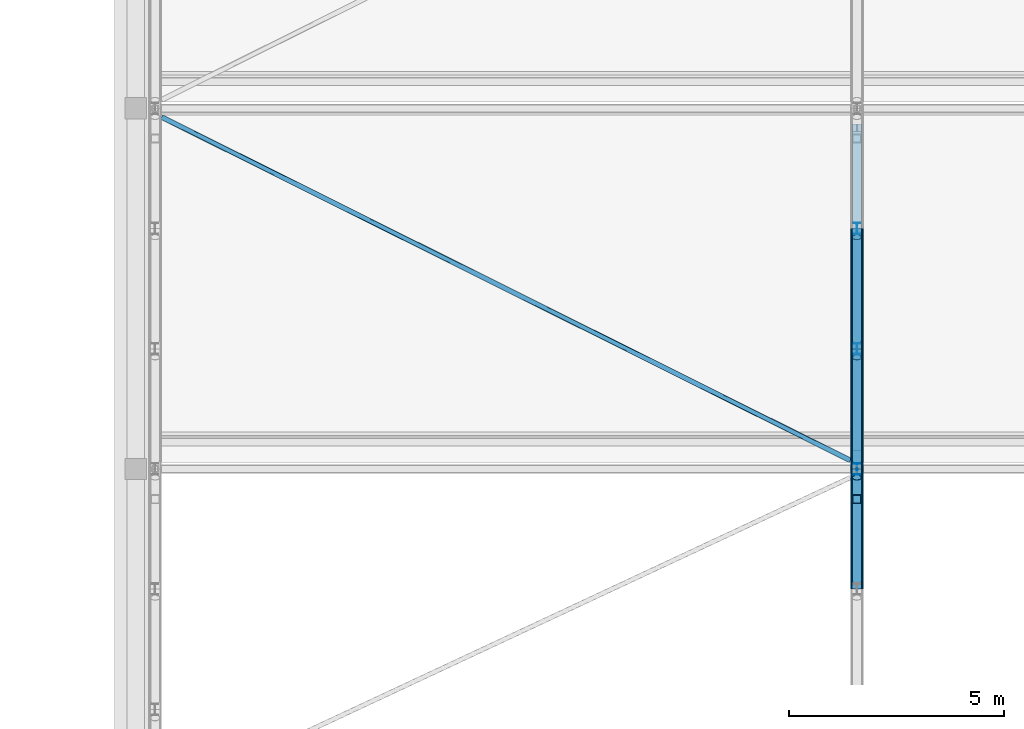
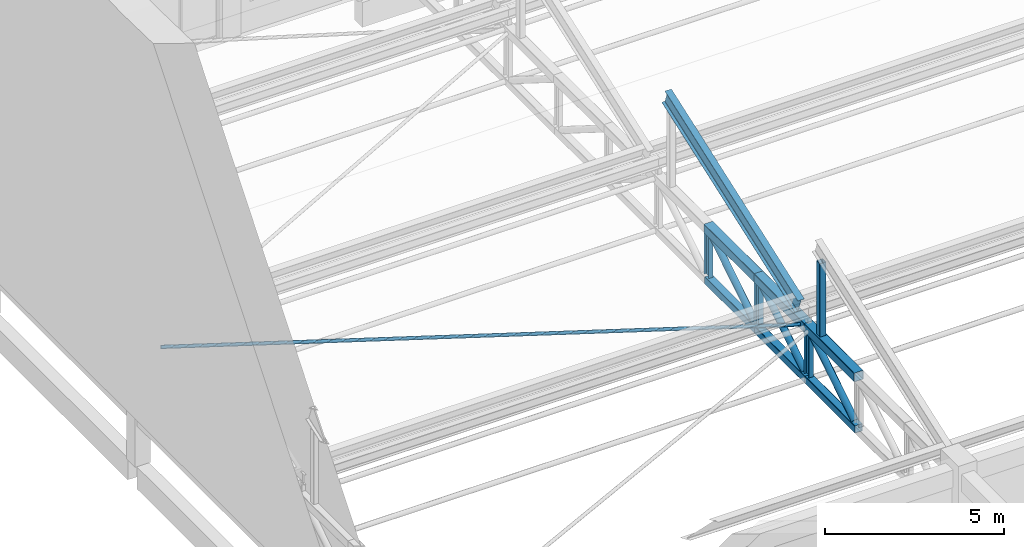
# One storey, part 11 of 101: 15 members.
"""IFC4 building model written with IfcOpenShell, lengths in metres."""

import ifcopenshell
import ifcopenshell.guid

model = None  # the IFC model being written
_history = None  # IfcOwnerHistory: only IFC2X3 demands one
_inside = {}  # id of a spatial element -> (the spatial element, [elements in it])
_under = {}  # id of a project, library or spatial element -> (it, [spatial elements below it])
_declared = {}  # id of a project -> (the project, [libraries it declares])
_typed = {}  # id of a type object -> (the type object, [elements of that type])
_made_of = {}  # id of a material, layer set ... -> (it, [elements and type objects made of it])


def new_model(schema):
    """Start an empty IFC model of exactly this schema.

    Asked for "IFC4X3", IfcOpenShell would pick the latest addendum, in which some entities
    have other attributes; the version numbers below select the first issue.
    IFC2X3 requires an IfcOwnerHistory on every rooted entity: one is made here for all.
    """
    global model, _history
    if schema == "IFC4X3":
        model = ifcopenshell.file(schema_version=(4, 3, 0, 0))
    else:
        model = ifcopenshell.file(schema=schema)
    _inside.clear()
    _under.clear()
    _declared.clear()
    _typed.clear()
    _made_of.clear()
    _history = None
    if model.schema == "IFC2X3":
        org = make("IfcOrganization", Name="unknown")
        user = make(
            "IfcPersonAndOrganization",
            ThePerson=make("IfcPerson", FamilyName="unknown"),
            TheOrganization=org,
        )
        app = make(
            "IfcApplication",
            ApplicationDeveloper=org,
            Version="unknown",
            ApplicationFullName="unknown",
            ApplicationIdentifier="unknown",
        )
        _history = make(
            "IfcOwnerHistory",
            OwningUser=user,
            OwningApplication=app,
            ChangeAction="ADDED",
            CreationDate=0,
        )
    return model


def make(cls, **values):
    """One entity of the class cls with the attributes given. An attribute that is None is left unset."""
    return model.create_entity(
        cls, **{name: value for name, value in values.items() if value is not None}
    )


def rooted(cls, **values):
    """An entity with a GlobalId (a new one), such as an element, a storey or a relation."""
    return make(cls, GlobalId=ifcopenshell.guid.new(), OwnerHistory=_history, **values)


def si_unit(unit_type, name, prefix=None):
    """IfcSIUnit, for example si_unit("LENGTHUNIT", "METRE", prefix="MILLI")."""
    return make("IfcSIUnit", UnitType=unit_type, Prefix=prefix, Name=name)


def assignment(units):
    """IfcUnitAssignment: the units of a project."""
    return None if units is None else make("IfcUnitAssignment", Units=units)


def point(xyz):
    """IfcCartesianPoint."""
    return None if xyz is None else make("IfcCartesianPoint", Coordinates=xyz)


def direction(xyz):
    """IfcDirection."""
    return None if xyz is None else make("IfcDirection", DirectionRatios=xyz)


def frame(location, z_axis=None, x_axis=None):
    """IfcAxis2Placement3D, a coordinate frame: its origin and axes. An axis left out is left unset."""
    return make(
        "IfcAxis2Placement3D",
        Location=point(location),
        Axis=direction(z_axis),
        RefDirection=direction(x_axis),
    )


def frame_2d(location, x_axis=None):
    """IfcAxis2Placement2D, a coordinate frame in the plane: its origin and x axis."""
    return make(
        "IfcAxis2Placement2D", Location=point(location), RefDirection=direction(x_axis)
    )


def origin():
    """The frame at (0, 0, 0) with its axes left unset."""
    return frame((0.0, 0.0, 0.0))


def origin_2d():
    """The frame at (0, 0) in the plane with its x axis left unset."""
    return frame_2d((0.0, 0.0))


def place(relative_to, where):
    """IfcLocalPlacement: puts the frame where relative to a parent placement (None: the world)."""
    return make(
        "IfcLocalPlacement", PlacementRelTo=relative_to, RelativePlacement=where
    )


def context(
    kind, dimensions, precision=None, world=None, true_north=None, identifier=None
):
    """IfcGeometricRepresentationContext, for example the 3D "Model" context."""
    return make(
        "IfcGeometricRepresentationContext",
        ContextIdentifier=identifier,
        ContextType=kind,
        CoordinateSpaceDimension=dimensions,
        Precision=precision,
        WorldCoordinateSystem=world,
        TrueNorth=true_north,
    )


def subcontext(parent, identifier, kind, view, scale=None):
    """IfcGeometricRepresentationSubContext, for example "Body" below "Model"."""
    return make(
        "IfcGeometricRepresentationSubContext",
        ContextIdentifier=identifier,
        ContextType=kind,
        ParentContext=parent,
        TargetScale=scale,
        TargetView=view,
    )


def project(units=None, contexts=None):
    """IfcProject with its units and contexts."""
    return rooted(
        "IfcProject",
        Name="project",
        RepresentationContexts=contexts,
        UnitsInContext=assignment(units),
    )


def spatial(cls, under=None, at=None, **own):
    """A site, building, storey or space (cls), placed at a placement, below another one or the project."""
    s = rooted(cls, ObjectPlacement=at, **own)
    if under is not None:
        _under.setdefault(under.id(), (under, []))[1].append(s)
    return s


def profile(cls, at=None, kind="AREA", **sizes):
    """A parametric profile (cls). Its sizes go by their IFC names, for example OverallWidth=200.0."""
    return make(cls, ProfileType=kind, Position=at, **sizes)


def hollow_rectangle(**sizes):
    """IfcRectangleHollowProfileDef."""
    return profile("IfcRectangleHollowProfileDef", **sizes)


def hollow_circle(**sizes):
    """IfcCircleHollowProfileDef."""
    return profile("IfcCircleHollowProfileDef", **sizes)


def i_section(**sizes):
    """IfcIShapeProfileDef."""
    return profile("IfcIShapeProfileDef", **sizes)


def extrude(swept, where, along, depth):
    """IfcExtrudedAreaSolid: the profile swept, set in the frame where, extruded along a direction by depth."""
    return make(
        "IfcExtrudedAreaSolid",
        SweptArea=swept,
        Position=where,
        ExtrudedDirection=direction(along),
        Depth=depth,
    )


def shape(context_of_items, identifier, shape_type, items):
    """IfcShapeRepresentation: the items that make up one representation, for example the "Body"."""
    return make(
        "IfcShapeRepresentation",
        ContextOfItems=context_of_items,
        RepresentationIdentifier=identifier,
        RepresentationType=shape_type,
        Items=items,
    )


def material(Name=None, Category=None):
    """IfcMaterial."""
    return make("IfcMaterial", Name=Name, Category=Category)


def material_profile(
    of_material, cross_section, Name=None, Category=None, Priority=None
):
    """IfcMaterialProfile: a cross section and its material."""
    return make(
        "IfcMaterialProfile",
        Name=Name,
        Material=of_material,
        Profile=cross_section,
        Priority=Priority,
        Category=Category,
    )


def profile_set(profiles, Name=None, composite=None):
    """IfcMaterialProfileSet."""
    return make(
        "IfcMaterialProfileSet",
        Name=Name,
        MaterialProfiles=profiles,
        CompositeProfile=composite,
    )


def made_of(thing, what):
    """Note that an element or type object is made of a material, layer set ...; save() writes the relation."""
    if what is not None:
        _made_of.setdefault(what.id(), (what, []))[1].append(thing)
    return thing


def type_object(cls, material=None, **own):
    """A type object (cls), such as IfcWallType, which elements share."""
    return made_of(rooted(cls, **own), material)


def element(
    cls,
    number,
    at=None,
    inside=None,
    cuts=None,
    type_object=None,
    material=None,
    context=None,
    identifier="Body",
    shape_type=None,
    held_by="IfcProductDefinitionShape",
    body=None,
    shapes=None,
    **own,
):
    """One element of the class cls, such as IfcWall. Its Tag is "e" and its number.

    at: its placement. inside: the storey or other place that contains it. cuts: it is an
    opening in that element (IfcRelVoidsElement). A single representation is given by context,
    identifier, shape_type and body (its items); several are given by shapes. held_by: the class
    of the entity that holds the representations. save() writes the other relations.
    """
    e = rooted(cls, Tag="e%d" % number, ObjectPlacement=at, **own)
    if body is not None:
        shapes = [shape(context, identifier, shape_type, body)]
    if shapes is not None:
        e.Representation = make(held_by, Representations=shapes)
    if inside is not None:
        _inside.setdefault(inside.id(), (inside, []))[1].append(e)
    if cuts is not None:
        rooted(
            "IfcRelVoidsElement", RelatingBuildingElement=cuts, RelatedOpeningElement=e
        )
    if type_object is not None:
        _typed.setdefault(type_object.id(), (type_object, []))[1].append(e)
    return made_of(e, material)


def aggregate(whole, parts):
    """IfcRelAggregates: a whole, such as a stair, and the parts it consists of."""
    return rooted("IfcRelAggregates", RelatingObject=whole, RelatedObjects=parts)


def save(model, path):
    """Write the relations noted so far, then the file.

    IfcRelAggregates (storeys below a building ...), IfcRelContainedInSpatialStructure (elements
    in a storey), IfcRelDefinesByType, IfcRelAssociatesMaterial and IfcRelDeclares: one each for
    every whole, place, type object, material and project.
    """
    for whole, parts in _under.values():
        aggregate(whole, parts)
    for where, things in _inside.values():
        rooted(
            "IfcRelContainedInSpatialStructure",
            RelatedElements=things,
            RelatingStructure=where,
        )
    for kind, things in _typed.values():
        rooted("IfcRelDefinesByType", RelatedObjects=things, RelatingType=kind)
    for what, things in _made_of.values():
        rooted("IfcRelAssociatesMaterial", RelatedObjects=things, RelatingMaterial=what)
    for by, libraries in _declared.values():
        rooted("IfcRelDeclares", RelatingContext=by, RelatedDefinitions=libraries)
    model.write(path)


model = new_model("IFC4")

# Units and contexts
model_context = context("Model", 3, precision=1e-05, world=origin(), true_north=direction((0.0, 1.0)))
body_context = subcontext(model_context, "Body", "Model", "MODEL_VIEW")
ifc_project = project(units=[si_unit("LENGTHUNIT", "METRE"), si_unit("AREAUNIT", "SQUARE_METRE"), si_unit("VOLUMEUNIT", "CUBIC_METRE"), si_unit("PLANEANGLEUNIT", "RADIAN"), si_unit("MASSUNIT", "GRAM", prefix="KILO")], contexts=[model_context])

# Site, building, storey
site_placement = place(None, origin())
site = spatial("IfcSite", under=ifc_project, at=site_placement, CompositionType="ELEMENT")
building_placement = place(site_placement, origin())
building = spatial("IfcBuilding", under=site, at=building_placement, Name="Fescue Hill Polytechnic", CompositionType="ELEMENT")
storey_placement = place(building_placement, frame((0.0, 0.0, 9.0)))
storey = spatial("IfcBuildingStorey", under=building, at=storey_placement, Name="L02", CompositionType="ELEMENT", Elevation=9.0)

# Members
ifc_material = material(Name="Steel 350W (350 MPa)", Category="steel")
ifc_material_profile_1 = material_profile(ifc_material, hollow_circle(Radius=0.05712890625, WallThickness=0.00634765625, at=origin_2d()), Name="Hall roof plan brace CHS 114x6.4")
ifc_profile_set_1 = profile_set([ifc_material_profile_1], Name="Steel 350W (350 MPa)")
member_type_1 = type_object("IfcMemberType", Name="Hall roof plan brace CHS 114x6.4", PredefinedType="BRACE", material=ifc_profile_set_1)
member_1_placement = place(storey_placement, frame((0.602294921875, 33.39990234375, 3.783447265625), z_axis=(0.894933167768, -0.446200207562, 0.0), x_axis=(0.446200207562, 0.894933167768, 0.0)))
element("IfcMember", 1, at=member_1_placement, inside=storey, type_object=member_type_1, Name="Roof plan brace bay 1 panel 2", PredefinedType="BRACE", context=body_context, shape_type="SweptSolid", body=[
    extrude(hollow_circle(Radius=0.05712890625, WallThickness=0.00634765625, at=origin_2d()), origin(), (0.0, 0.0, 1.0), 17.92919921875),
])
ifc_material_profile_2 = material_profile(ifc_material, hollow_rectangle(XDim=0.25390625, YDim=0.25390625, WallThickness=0.0126953125, InnerFilletRadius=0.0126953125, OuterFilletRadius=0.025390625, at=origin_2d()), Name="Hall truss bottom chord HSS 254x254x13")
ifc_profile_set_2 = profile_set([ifc_material_profile_2], Name="Steel 350W (350 MPa)")
member_type_2 = type_object("IfcMemberType", Name="Hall truss bottom chord HSS 254x254x13", PredefinedType="CHORD", material=ifc_profile_set_2)
for number, where, z_axis, x_axis, name in (
    (2, (16.800048828125, 22.39990234375, 2.0), (0.0, 1.0, 0.0), (-1.0, 0.0, 0.0), "Truss TR2 bottom chord 3"),
    (3, (16.800048828125, 25.199951171875, 2.0), (0.0, 1.0, 0.0), (-1.0, 0.0, 0.0), "Truss TR2 bottom chord 4"),
    (4, (16.800048828125, 28.0, 2.0), (0.0, 1.0, 0.0), (-1.0, 0.0, 0.0), "Truss TR2 bottom chord 5"),
):
    element("IfcMember", number, at=place(storey_placement, frame(where, z_axis=z_axis, x_axis=x_axis)), inside=storey, type_object=member_type_2, Name=name, PredefinedType="CHORD", context=body_context, shape_type="SweptSolid", body=[
        extrude(hollow_rectangle(XDim=0.25390625, YDim=0.25390625, WallThickness=0.0126953125, InnerFilletRadius=0.0126953125, OuterFilletRadius=0.025390625, at=origin_2d()), origin(), (0.0, 0.0, 1.0), 2.800048828125),
    ])
ifc_material_profile_3 = material_profile(ifc_material, hollow_circle(Radius=0.109619140625, WallThickness=0.009521484375, at=origin_2d()), Name="Hall truss diagonal CHS 219x9.5")
ifc_profile_set_3 = profile_set([ifc_material_profile_3], Name="Steel 350W (350 MPa)")
member_type_3 = type_object("IfcMemberType", Name="Hall truss diagonal CHS 219x9.5", PredefinedType="BRACE", material=ifc_profile_set_3)
member_2_placement = place(storey_placement, frame((16.800048828125, 22.60009765625, 2.126953125), z_axis=(0.0, 0.847329350891, 0.531067765091), x_axis=(-1.0, 0.0, 0.0)))
element("IfcMember", 5, at=member_2_placement, inside=storey, type_object=member_type_3, Name="Truss TR2 diagonal 3", PredefinedType="BRACE", context=body_context, shape_type="SweptSolid", body=[
    extrude(hollow_circle(Radius=0.109619140625, WallThickness=0.009521484375, at=origin_2d()), origin(), (0.0, 0.0, 1.0), 2.832275390625),
])
for number, where, z_axis, x_axis, name in (
    (6, (16.800048828125, 25.39990234375, 2.126953125), (0.0, 0.847353658992, 0.531028979051), (-1.0, 0.0, 0.0), "Truss TR2 diagonal 4"),
    (7, (16.800048828125, 28.199951171875, 2.126953125), (0.0, 0.847353658992, 0.531028979051), (-1.0, 0.0, 0.0), "Truss TR2 diagonal 5"),
):
    element("IfcMember", number, at=place(storey_placement, frame(where, z_axis=z_axis, x_axis=x_axis)), inside=storey, type_object=member_type_3, Name=name, PredefinedType="BRACE", context=body_context, shape_type="SweptSolid", body=[
        extrude(hollow_circle(Radius=0.109619140625, WallThickness=0.009521484375, at=origin_2d()), origin(), (0.0, 0.0, 1.0), 2.83251953125),
    ])
ifc_material_profile_4 = material_profile(ifc_material, i_section(OverallWidth=0.14794921875, OverallDepth=0.26611328125, WebThickness=0.007568359375, FlangeThickness=0.012939453125, FilletRadius=0.013916015625, at=origin_2d()), Name="W250x45")
ifc_profile_set_4 = profile_set([ifc_material_profile_4], Name="Steel 350W (350 MPa)")
member_type_4 = type_object("IfcMemberType", Name="Hall truss post W250x45", PredefinedType="POST", material=ifc_profile_set_4)
for number, where, z_axis, x_axis, name in (
    (8, (16.800048828125, 25.199951171875, 2.126953125), (0.0, 0.0, 1.0), (1.0, 0.0, 0.0), "Truss TR2 post 4"),
    (9, (16.800048828125, 28.0, 2.126953125), (0.0, 0.0, 1.0), (1.0, 0.0, 0.0), "Truss TR2 post 5"),
    (10, (16.800048828125, 30.800048828125, 2.126953125), (0.0, 0.0, 1.0), (1.0, 0.0, 0.0), "Truss TR2 post 6"),
):
    element("IfcMember", number, at=place(storey_placement, frame(where, z_axis=z_axis, x_axis=x_axis)), inside=storey, type_object=member_type_4, Name=name, PredefinedType="POST", context=body_context, shape_type="SweptSolid", body=[
        extrude(i_section(OverallWidth=0.14794921875, OverallDepth=0.26611328125, WebThickness=0.007568359375, FlangeThickness=0.012939453125, FilletRadius=0.013916015625, at=origin_2d()), origin(), (0.0, 0.0, 1.0), 1.504150390625),
    ])
ifc_material_profile_5 = material_profile(ifc_material, hollow_rectangle(XDim=0.3046875, YDim=0.3046875, WallThickness=0.0126953125, InnerFilletRadius=0.0126953125, OuterFilletRadius=0.025390625, at=origin_2d()), Name="Hall truss top chord HSS 305x305x13")
ifc_profile_set_5 = profile_set([ifc_material_profile_5], Name="Steel 350W (350 MPa)")
member_type_5 = type_object("IfcMemberType", Name="Hall truss top chord HSS 305x305x13", PredefinedType="CHORD", material=ifc_profile_set_5)
for number, where, z_axis, x_axis, name in (
    (11, (16.800048828125, 22.39990234375, 3.783447265625), (0.0, 1.0, 0.0), (-1.0, 0.0, 0.0), "Truss TR2 top chord 3"),
    (12, (16.800048828125, 25.199951171875, 3.783447265625), (0.0, 1.0, 0.0), (-1.0, 0.0, 0.0), "Truss TR2 top chord 4"),
    (13, (16.800048828125, 28.0, 3.783447265625), (0.0, 1.0, 0.0), (-1.0, 0.0, 0.0), "Truss TR2 top chord 5"),
):
    element("IfcMember", number, at=place(storey_placement, frame(where, z_axis=z_axis, x_axis=x_axis)), inside=storey, type_object=member_type_5, Name=name, PredefinedType="CHORD", context=body_context, shape_type="SweptSolid", body=[
        extrude(hollow_rectangle(XDim=0.3046875, YDim=0.3046875, WallThickness=0.0126953125, InnerFilletRadius=0.0126953125, OuterFilletRadius=0.025390625, at=origin_2d()), origin(), (0.0, 0.0, 1.0), 2.800048828125),
    ])
ifc_material_profile_6 = material_profile(ifc_material, i_section(OverallWidth=0.208984375, OverallDepth=0.532958984375, WebThickness=0.01025390625, FlangeThickness=0.015625, FilletRadius=0.016357421875, at=origin_2d()), Name="W530x92")
ifc_profile_set_6 = profile_set([ifc_material_profile_6], Name="Steel 350W (350 MPa)")
member_type_6 = type_object("IfcMemberType", Name="Tooth rafter W530x92", PredefinedType="RAFTER", material=ifc_profile_set_6)
member_3_placement = place(storey_placement, frame((16.800048828125, 25.71044921875, 4.18701171875), z_axis=(0.0, 0.941740513165, 0.336340312575), x_axis=(-1.0, 0.0, 0.0)))
element("IfcMember", 14, at=member_3_placement, inside=storey, type_object=member_type_6, Name="Tooth 2 rafter on TR2", PredefinedType="RAFTER", context=body_context, shape_type="SweptSolid", body=[
    extrude(i_section(OverallWidth=0.208984375, OverallDepth=0.532958984375, WebThickness=0.01025390625, FlangeThickness=0.015625, FilletRadius=0.016357421875, at=origin_2d()), origin(), (0.0, 0.0, 1.0), 7.899658203125),
])
ifc_material_profile_7 = material_profile(ifc_material, hollow_rectangle(XDim=0.203125, YDim=0.203125, WallThickness=0.009521484375, InnerFilletRadius=0.009521484375, OuterFilletRadius=0.01904296875, at=origin_2d()), Name="Tooth ridge post HSS 203x203x9.5")
ifc_profile_set_7 = profile_set([ifc_material_profile_7], Name="Steel 350W (350 MPa)")
member_type_7 = type_object("IfcMemberType", Name="Tooth ridge post HSS 203x203x9.5", PredefinedType="POST", material=ifc_profile_set_7)
member_4_placement = place(storey_placement, frame((16.800048828125, 24.5, 3.93603515625), z_axis=(0.0, 0.0, 1.0), x_axis=(1.0, 0.0, 0.0)))
element("IfcMember", 15, at=member_4_placement, inside=storey, type_object=member_type_7, Name="Tooth 1 ridge post on TR2", PredefinedType="POST", context=body_context, shape_type="SweptSolid", body=[
    extrude(hollow_rectangle(XDim=0.203125, YDim=0.203125, WallThickness=0.009521484375, InnerFilletRadius=0.009521484375, OuterFilletRadius=0.01904296875, at=origin_2d()), origin(), (0.0, 0.0, 1.0), 2.499267578125),
])

save(model, "model.ifc")
